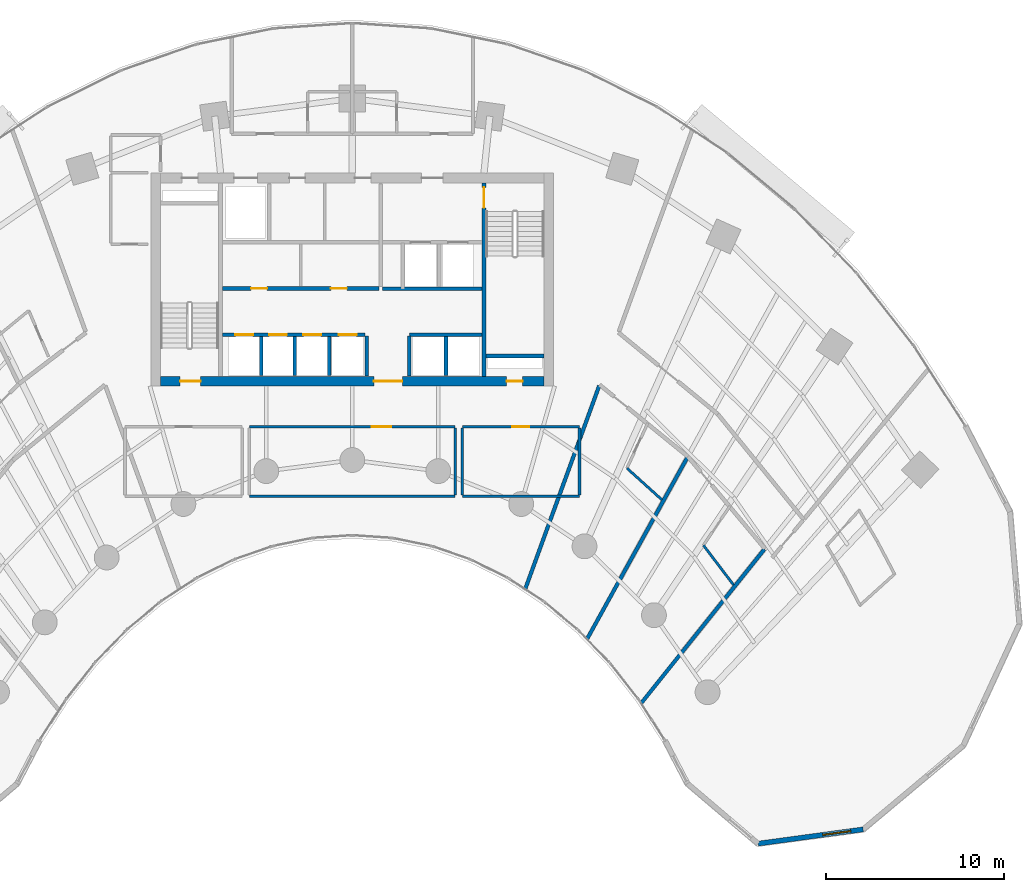
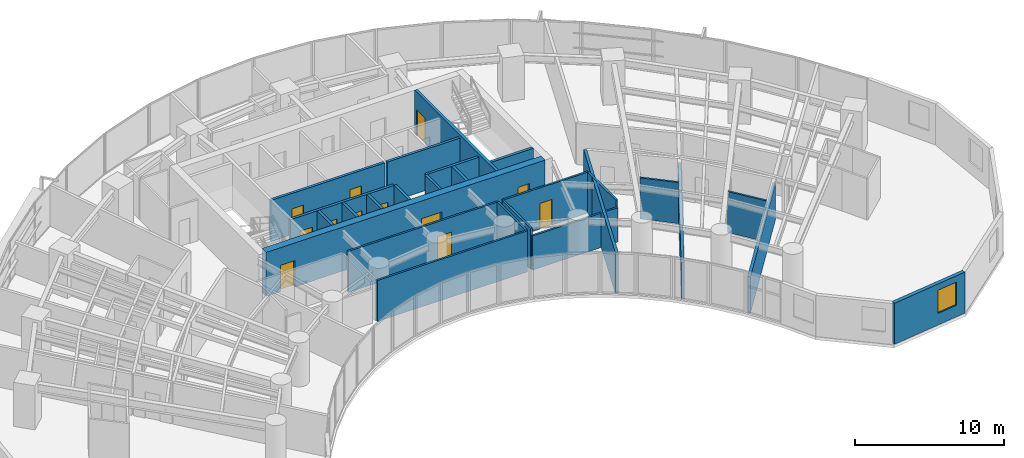
# One storey, part 12 of 17: 26 walls, 12 doors, 1 window, 13 openings.
"""IFC4 building model written with IfcOpenShell, lengths in metres."""

from ifc_helpers import new_model, si_unit, direction, frame, frame_2d, origin, place, context, subcontext, project, spatial, rectangle, extrude, source, transform, mapped, material, layer, layer_set, type_object, type_shapes, element, fill, save


model = new_model("IFC4")

# Units and contexts
model_context = context("Model", 3, precision=1e-05, world=origin(), true_north=direction((0.0, 1.0)))
body_context = subcontext(model_context, "Body", "Model", "MODEL_VIEW")
ifc_project = project(units=[si_unit("LENGTHUNIT", "METRE"), si_unit("AREAUNIT", "SQUARE_METRE"), si_unit("VOLUMEUNIT", "CUBIC_METRE"), si_unit("PLANEANGLEUNIT", "RADIAN"), si_unit("MASSUNIT", "GRAM", prefix="KILO")], contexts=[model_context])

# Site, building, storey
site_placement = place(None, origin())
site = spatial("IfcSite", under=ifc_project, at=site_placement, CompositionType="ELEMENT")
building_placement = place(site_placement, origin())
building = spatial("IfcBuilding", under=site, at=building_placement, Name="Breltana Convention Tower", CompositionType="ELEMENT")
storey_placement = place(building_placement, frame((0.0, 0.0, 71.39990234375)))
storey = spatial("IfcBuildingStorey", under=building, at=storey_placement, Name="L16", CompositionType="ELEMENT", Elevation=71.39990234375)

# Wall, openings, doors
ifc_material_1 = material(Name="Concrete C60/75", Category="concrete")
ifc_layer_1 = layer(ifc_material_1, 0.550048828125, Name="Concrete C60/75")
ifc_layer_set_1 = layer_set([ifc_layer_1], Name="Concrete C60/75")
wall_type_1 = type_object("IfcWallType", Name="SW-CORE-550", PredefinedType="SHEAR", material=ifc_layer_set_1)
shared_shape_1 = source(origin(), body_context, "Body", "SweptSolid", [
    extrude(rectangle(XDim=21.60009765625, YDim=0.550048828125, at=frame_2d((10.800048828125, 0.0))), origin(), (0.0, 0.0, 1.0), 3.60009765625),
])
wall_1_placement = place(storey_placement, frame((37.199951171875, 60.47509765625, 0.0), z_axis=(0.0, 0.0, 1.0), x_axis=(1.0, 0.0, 0.0)))
wall_1 = element("IfcWall", 1, at=wall_1_placement, inside=storey, type_object=wall_type_1, Name="L16 South Core Shear Wall", PredefinedType="SHEAR", context=body_context, shape_type="MappedRepresentation", body=[
    mapped(shared_shape_1, transform((0.0, 0.0, 0.0), scale=1.0)),
])
opening_1_placement = place(wall_1_placement, frame((1.10009765625, 0.0, 0.0)))
opening_1 = element("IfcOpeningElement", 2, at=opening_1_placement, cuts=wall_1, Name="Opening D-11", PredefinedType="OPENING", context=body_context, shape_type="SweptSolid", body=[
    extrude(rectangle(XDim=1.14990234375, YDim=2.14990234375, at=frame_2d((0.574951171875, 1.074951171875))), frame((0.0, 0.28515625, 0.0), z_axis=(0.0, -1.0, 0.0), x_axis=(1.0, 0.0, 0.0)), (0.0, 0.0, 1.0), 0.570068359375),
])
opening_2_placement = place(wall_1_placement, frame((19.5, 0.0, 0.0)))
opening_2 = element("IfcOpeningElement", 3, at=opening_2_placement, cuts=wall_1, Name="Opening D-18", PredefinedType="OPENING", context=body_context, shape_type="SweptSolid", body=[
    extrude(rectangle(XDim=0.89990234375, YDim=2.10009765625, at=frame_2d((0.449951171875, 1.050048828125))), frame((0.0, 0.28515625, 0.0), z_axis=(0.0, -1.0, 0.0), x_axis=(1.0, 0.0, 0.0)), (0.0, 0.0, 1.0), 0.570068359375),
])
opening_3_placement = place(wall_1_placement, frame((12.02001953125, 0.0, 0.0)))
opening_3 = element("IfcOpeningElement", 4, at=opening_3_placement, cuts=wall_1, Name="Opening D-02", PredefinedType="OPENING", context=body_context, shape_type="SweptSolid", body=[
    extrude(rectangle(XDim=1.60009765625, YDim=2.14990234375, at=frame_2d((0.800048828125, 1.074951171875))), frame((0.0, 0.28515625, 0.0), z_axis=(0.0, -1.0, 0.0), x_axis=(1.0, 0.0, 0.0)), (0.0, 0.0, 1.0), 0.570068359375),
])
ifc_material_2 = material(Name="Steel Stair Exit Door", Category="steel")
door_type_1 = type_object("IfcDoorType", Name="DR-FD120-1150", OperationType="NOTDEFINED", PredefinedType="DOOR", material=ifc_material_2)
shared_shape_2 = source(origin(), body_context, "Body", "SweptSolid", [
    extrude(rectangle(XDim=1.14990234375, YDim=2.14990234375, at=frame_2d((0.574951171875, 1.074951171875))), frame((0.0, 0.02490234375, 0.0), z_axis=(0.0, -1.0, 0.0), x_axis=(1.0, 0.0, 0.0)), (0.0, 0.0, 1.0), 0.050048828125),
])
type_shapes(door_type_1, [shared_shape_2])
door_1_placement = place(opening_1_placement, origin())
door_1 = element("IfcDoor", 5, at=door_1_placement, inside=storey, type_object=door_type_1, Name="L16 interior door D-L16-ST1", OperationType="SINGLE_SWING_LEFT", OverallHeight=2.14990234375, OverallWidth=1.14990234375, PredefinedType="DOOR", context=body_context, shape_type="MappedRepresentation", body=[
    mapped(shared_shape_2, transform((0.0, 0.0, 0.0), scale=1.0)),
])
fill(opening_1, door_1)
ifc_material_3 = material(Name="Steel Riser Fire Door", Category="steel")
door_type_2 = type_object("IfcDoorType", Name="DR-FD60-900", OperationType="NOTDEFINED", PredefinedType="DOOR", material=ifc_material_3)
shared_shape_3 = source(origin(), body_context, "Body", "SweptSolid", [
    extrude(rectangle(XDim=0.89990234375, YDim=2.10009765625, at=frame_2d((0.449951171875, 1.050048828125))), frame((0.0, 0.02490234375, 0.0), z_axis=(0.0, -1.0, 0.0), x_axis=(1.0, 0.0, 0.0)), (0.0, 0.0, 1.0), 0.050048828125),
])
type_shapes(door_type_2, [shared_shape_3])
door_2_placement = place(opening_2_placement, origin())
door_2 = element("IfcDoor", 6, at=door_2_placement, inside=storey, type_object=door_type_2, Name="L16 Core Riser Access Door D-L16-RS2", OperationType="SINGLE_SWING_RIGHT", OverallHeight=2.10009765625, OverallWidth=0.89990234375, PredefinedType="DOOR", context=body_context, shape_type="MappedRepresentation", body=[
    mapped(shared_shape_3, transform((0.0, 0.0, 0.0), scale=1.0)),
])
fill(opening_2, door_2)
ifc_material_4 = material(Name="Steel Glazed Smoke-Control Door", Category="steel")
door_type_3 = type_object("IfcDoorType", Name="DR-DBL-FD90-1600", OperationType="DOUBLE_DOOR_SINGLE_SWING", PredefinedType="DOOR", material=ifc_material_4)
shared_shape_4 = source(origin(), body_context, "Body", "SweptSolid", [
    extrude(rectangle(XDim=1.60009765625, YDim=2.14990234375, at=frame_2d((0.800048828125, 1.074951171875))), frame((0.0, 0.02490234375, 0.0), z_axis=(0.0, -1.0, 0.0), x_axis=(1.0, 0.0, 0.0)), (0.0, 0.0, 1.0), 0.050048828125),
])
type_shapes(door_type_3, [shared_shape_4])
door_3_placement = place(opening_3_placement, origin())
door_3 = element("IfcDoor", 7, at=door_3_placement, inside=storey, type_object=door_type_3, Name="L16 interior door D-L16-LLB-S", OperationType="DOUBLE_DOOR_SINGLE_SWING", OverallHeight=2.14990234375, OverallWidth=1.60009765625, PredefinedType="DOOR", context=body_context, shape_type="MappedRepresentation", body=[
    mapped(shared_shape_4, transform((0.0, 0.0, 0.0), scale=1.0)),
])
fill(opening_3, door_3)

# Wall
ifc_material_5 = material(Name="Concrete C50/60", Category="concrete")
ifc_layer_2 = layer(ifc_material_5, 0.39990234375, Name="Concrete C50/60")
ifc_layer_set_2 = layer_set([ifc_layer_2], Name="Concrete C50/60")
wall_type_2 = type_object("IfcWallType", Name="SW-CORE-400", PredefinedType="SHEAR", material=ifc_layer_set_2)
shared_shape_5 = source(origin(), body_context, "Body", "SweptSolid", [
    extrude(rectangle(XDim=3.27001953125, YDim=0.219970703125, at=frame_2d((1.635009765625, 0.0))), origin(), (0.0, 0.0, 1.0), 3.60009765625),
])
wall_2_placement = place(storey_placement, frame((55.530029296875, 61.889892578125, 0.0), z_axis=(0.0, 0.0, 1.0), x_axis=(1.0, 0.0, 0.0)))
element("IfcWall", 8, at=wall_2_placement, inside=storey, type_object=wall_type_2, Name="L16 ST-2 Stairwell South Bearing Wall", PredefinedType="SHEAR", context=body_context, shape_type="MappedRepresentation", body=[
    mapped(shared_shape_5, transform((0.0, 0.0, 0.0), scale=1.0)),
])

# Wall, opening, door
shared_shape_6 = source(origin(), body_context, "Body", "SweptSolid", [
    extrude(rectangle(XDim=10.89990234375, YDim=0.219970703125, at=frame_2d((5.449951171875, 0.0))), origin(), (0.0, 0.0, 1.0), 3.60009765625),
])
wall_3_placement = place(storey_placement, frame((55.419921875, 60.75, 0.0), z_axis=(0.0, 0.0, 1.0), x_axis=(0.0, 1.0, 0.0)))
wall_3 = element("IfcWall", 9, at=wall_3_placement, inside=storey, type_object=wall_type_2, Name="L16 Core East Stair Spine Wall", PredefinedType="SHEAR", context=body_context, shape_type="MappedRepresentation", body=[
    mapped(shared_shape_6, transform((0.0, 0.0, 0.0), scale=1.0)),
])
opening_4_placement = place(wall_3_placement, frame((9.4951171875, 0.0, 0.0)))
opening_4 = element("IfcOpeningElement", 10, at=opening_4_placement, cuts=wall_3, Name="Opening D-11", PredefinedType="OPENING", context=body_context, shape_type="SweptSolid", body=[
    extrude(rectangle(XDim=1.14990234375, YDim=2.14990234375, at=frame_2d((0.574951171875, 1.074951171875))), frame((0.0, 0.1201171875, 0.0), z_axis=(0.0, -1.0, 0.0), x_axis=(1.0, 0.0, 0.0)), (0.0, 0.0, 1.0), 0.239990234375),
])
door_4_placement = place(opening_4_placement, origin())
door_4 = element("IfcDoor", 11, at=door_4_placement, inside=storey, type_object=door_type_1, Name="L16 interior door D-L16-ST2", OperationType="SINGLE_SWING_LEFT", OverallHeight=2.14990234375, OverallWidth=1.14990234375, PredefinedType="DOOR", context=body_context, shape_type="MappedRepresentation", body=[
    mapped(shared_shape_2, transform((0.0, 0.0, 0.0), scale=1.0)),
])
fill(opening_4, door_4)

# Wall, opening, window
ifc_material_6 = material(Name="Limestone Buff Insulated Wall", Category="masonry")
ifc_layer_3 = layer(ifc_material_6, 0.280029296875, Name="Limestone Buff Insulated Wall")
ifc_layer_set_3 = layer_set([ifc_layer_3], Name="Limestone Buff Insulated Wall")
wall_type_3 = type_object("IfcWallType", Name="WL-EXT-NOSE-280", PredefinedType="SOLIDWALL", material=ifc_layer_set_3)
shared_shape_7 = source(origin(), body_context, "Body", "SweptSolid", [
    extrude(rectangle(XDim=5.96728515625, YDim=0.280029296875, at=frame_2d((2.983642578125, 0.0))), origin(), (0.0, 0.0, 1.0), 3.360107421875),
])
wall_4_placement = place(storey_placement, frame((76.77734375, 35.226806640625, 0.0), z_axis=(0.0, 0.0, 1.0), x_axis=(-0.990927009341, -0.134401124099, 0.0)))
wall_4 = element("IfcWall", 12, at=wall_4_placement, inside=storey, type_object=wall_type_3, Name="L16 curved limestone nose wall E4", PredefinedType="SOLIDWALL", context=body_context, shape_type="MappedRepresentation", body=[
    mapped(shared_shape_7, transform((0.0, 0.0, 0.0), scale=1.0)),
])
opening_5_placement = place(wall_4_placement, frame((0.69189453125, 0.0, 0.949951171875)))
opening_5 = element("IfcOpeningElement", 13, at=opening_5_placement, cuts=wall_4, Name="Opening W-04", PredefinedType="OPENING", context=body_context, shape_type="SweptSolid", body=[
    extrude(rectangle(XDim=1.60009765625, YDim=1.89990234375, at=frame_2d((0.800048828125, 0.949951171875))), frame((0.0, 0.14990234375, 0.0), z_axis=(0.0, -1.0, 0.0), x_axis=(1.0, 0.0, 0.0)), (0.0, 0.0, 1.0), 0.300048828125),
])
ifc_material_7 = material(Name="Glass Low-E Insulated Window", Category="glass")
window_type = type_object("IfcWindowType", Name="WN-NOSE-1600X1900", PartitioningType="SINGLE_PANEL", PredefinedType="WINDOW", material=ifc_material_7)
shared_shape_8 = source(origin(), body_context, "Body", "SweptSolid", [
    extrude(rectangle(XDim=1.60009765625, YDim=1.89990234375, at=frame_2d((0.800048828125, 0.949951171875))), frame((0.0, 0.030029296875, 0.0), z_axis=(0.0, -1.0, 0.0), x_axis=(1.0, 0.0, 0.0)), (0.0, 0.0, 1.0), 0.06005859375),
])
type_shapes(window_type, [shared_shape_8])
window_placement = place(opening_5_placement, origin())
window = element("IfcWindow", 14, at=window_placement, inside=storey, type_object=window_type, Name="L16 nose window E4", OverallHeight=1.89990234375, OverallWidth=1.60009765625, PartitioningType="SINGLE_PANEL", PredefinedType="WINDOW", context=body_context, shape_type="MappedRepresentation", body=[
    mapped(shared_shape_8, transform((0.0, 0.0, 0.0), scale=1.0)),
])
fill(opening_5, window)

# Walls
ifc_material_8 = material(Name="Autoclaved Aerated Concrete Block", Category="concrete")
ifc_layer_4 = layer(ifc_material_8, 0.199951171875, Name="Autoclaved Aerated Concrete Block")
ifc_layer_set_4 = layer_set([ifc_layer_4], Name="Autoclaved Aerated Concrete Block")
wall_type_4 = type_object("IfcWallType", Name="WL-SHAFT-200", PredefinedType="SOLIDWALL", material=ifc_layer_set_4)
shared_shape_9 = source(origin(), body_context, "Body", "SweptSolid", [
    extrude(rectangle(XDim=2.239990234375, YDim=0.199951171875, at=frame_2d((1.1201171875, 0.0))), origin(), (0.0, 0.0, 1.0), 3.360107421875),
])
for number, where, z_axis, x_axis, name in (
    (15, (48.820068359375, 60.780029296875, 0.0), (0.0, 0.0, 1.0), (0.0, 1.0, 0.0), "L16 interior partition W-L16-PORT-W"),
    (16, (51.219970703125, 60.780029296875, 0.0), (0.0, 0.0, 1.0), (0.0, 1.0, 0.0), "L16 interior partition W-L16-PORT-E"),
):
    element("IfcWall", number, at=place(storey_placement, frame(where, z_axis=z_axis, x_axis=x_axis)), inside=storey, type_object=wall_type_4, Name=name, PredefinedType="SOLIDWALL", context=body_context, shape_type="MappedRepresentation", body=[
        mapped(shared_shape_9, transform((0.0, 0.0, 0.0), scale=1.0)),
    ])
shared_shape_10 = source(origin(), body_context, "Body", "SweptSolid", [
    extrude(rectangle(XDim=5.6201171875, YDim=0.199951171875, at=frame_2d((2.81005859375, 0.0))), origin(), (0.0, 0.0, 1.0), 3.360107421875),
])
wall_5_placement = place(storey_placement, frame((49.699951171875, 65.679931640625, 0.0), z_axis=(0.0, 0.0, 1.0), x_axis=(1.0, 0.0, 0.0)))
element("IfcWall", 17, at=wall_5_placement, inside=storey, type_object=wall_type_4, Name="L16 interior partition W-L16-FL-S", PredefinedType="SOLIDWALL", context=body_context, shape_type="MappedRepresentation", body=[
    mapped(shared_shape_10, transform((0.0, 0.0, 0.0), scale=1.0)),
])

# Wall, openings, doors
shared_shape_11 = source(origin(), body_context, "Body", "SweptSolid", [
    extrude(rectangle(XDim=8.800048828125, YDim=0.199951171875, at=frame_2d((4.39990234375, 0.0))), origin(), (0.0, 0.0, 1.0), 3.360107421875),
])
wall_6_placement = place(storey_placement, frame((40.699951171875, 65.699951171875, 0.0), z_axis=(0.0, 0.0, 1.0), x_axis=(1.0, 0.0, 0.0)))
wall_6 = element("IfcWall", 18, at=wall_6_placement, inside=storey, type_object=wall_type_4, Name="L16 interior partition W-L16-SH-M-FRONT", PredefinedType="SOLIDWALL", context=body_context, shape_type="MappedRepresentation", body=[
    mapped(shared_shape_11, transform((0.0, 0.0, 0.0), scale=1.0)),
])
opening_6_placement = place(wall_6_placement, frame((1.60009765625, 0.0, 0.0)))
opening_6 = element("IfcOpeningElement", 19, at=opening_6_placement, cuts=wall_6, Name="Opening D-18", PredefinedType="OPENING", context=body_context, shape_type="SweptSolid", body=[
    extrude(rectangle(XDim=0.89990234375, YDim=2.10009765625, at=frame_2d((0.449951171875, 1.050048828125))), frame((0.0, 0.10986328125, 0.0), z_axis=(0.0, -1.0, 0.0), x_axis=(1.0, 0.0, 0.0)), (0.0, 0.0, 1.0), 0.219970703125),
])
opening_7_placement = place(wall_6_placement, frame((6.10009765625, 0.0, 0.0)))
opening_7 = element("IfcOpeningElement", 20, at=opening_7_placement, cuts=wall_6, Name="Opening D-18", PredefinedType="OPENING", context=body_context, shape_type="SweptSolid", body=[
    extrude(rectangle(XDim=0.89990234375, YDim=2.10009765625, at=frame_2d((0.449951171875, 1.050048828125))), frame((0.0, 0.10986328125, 0.0), z_axis=(0.0, -1.0, 0.0), x_axis=(1.0, 0.0, 0.0)), (0.0, 0.0, 1.0), 0.219970703125),
])
door_5_placement = place(opening_6_placement, origin())
door_5 = element("IfcDoor", 21, at=door_5_placement, inside=storey, type_object=door_type_2, Name="L16 interior door D-L16-LV7-B2A", OperationType="SINGLE_SWING_RIGHT", OverallHeight=2.10009765625, OverallWidth=0.89990234375, PredefinedType="DOOR", context=body_context, shape_type="MappedRepresentation", body=[
    mapped(shared_shape_3, transform((0.0, 0.0, 0.0), scale=1.0)),
])
fill(opening_6, door_5)
door_6_placement = place(opening_7_placement, origin())
door_6 = element("IfcDoor", 22, at=door_6_placement, inside=storey, type_object=door_type_2, Name="L16 interior door D-L16-LV7-B2B", OperationType="SINGLE_SWING_LEFT", OverallHeight=2.10009765625, OverallWidth=0.89990234375, PredefinedType="DOOR", context=body_context, shape_type="MappedRepresentation", body=[
    mapped(shared_shape_3, transform((0.0, 0.0, 0.0), scale=1.0)),
])
fill(opening_7, door_6)

shared_shape_12 = source(origin(), body_context, "Body", "SweptSolid", [
    extrude(rectangle(XDim=8.02001953125, YDim=0.199951171875, at=frame_2d((4.010009765625, 0.0))), origin(), (0.0, 0.0, 1.0), 3.360107421875),
])
wall_7_placement = place(storey_placement, frame((40.699951171875, 63.10009765625, 0.0), z_axis=(0.0, 0.0, 1.0), x_axis=(1.0, 0.0, 0.0)))
wall_7 = element("IfcWall", 23, at=wall_7_placement, inside=storey, type_object=wall_type_4, Name="L16 interior partition W-L16-SH-S-FRONT", PredefinedType="SOLIDWALL", context=body_context, shape_type="MappedRepresentation", body=[
    mapped(shared_shape_12, transform((0.0, 0.0, 0.0), scale=1.0)),
])
opening_8_placement = place(wall_7_placement, frame((0.719970703125, 0.0, 0.0)))
opening_8 = element("IfcOpeningElement", 24, at=opening_8_placement, cuts=wall_7, Name="Opening LD-04", PredefinedType="OPENING", context=body_context, shape_type="SweptSolid", body=[
    extrude(rectangle(XDim=1.0, YDim=2.14990234375, at=frame_2d((0.5, 1.074951171875))), frame((0.0, 0.10986328125, 0.0), z_axis=(0.0, -1.0, 0.0), x_axis=(1.0, 0.0, 0.0)), (0.0, 0.0, 1.0), 0.219970703125),
])
opening_9_placement = place(wall_7_placement, frame((2.6201171875, 0.0, 0.0)))
opening_9 = element("IfcOpeningElement", 25, at=opening_9_placement, cuts=wall_7, Name="Opening LD-04", PredefinedType="OPENING", context=body_context, shape_type="SweptSolid", body=[
    extrude(rectangle(XDim=1.0, YDim=2.14990234375, at=frame_2d((0.5, 1.074951171875))), frame((0.0, 0.10986328125, 0.0), z_axis=(0.0, -1.0, 0.0), x_axis=(1.0, 0.0, 0.0)), (0.0, 0.0, 1.0), 0.219970703125),
])
opening_10_placement = place(wall_7_placement, frame((4.550048828125, 0.0, 0.0)))
opening_10 = element("IfcOpeningElement", 26, at=opening_10_placement, cuts=wall_7, Name="Opening LD-04", PredefinedType="OPENING", context=body_context, shape_type="SweptSolid", body=[
    extrude(rectangle(XDim=1.0, YDim=2.14990234375, at=frame_2d((0.5, 1.074951171875))), frame((0.0, 0.10986328125, 0.0), z_axis=(0.0, -1.0, 0.0), x_axis=(1.0, 0.0, 0.0)), (0.0, 0.0, 1.0), 0.219970703125),
])
opening_11_placement = place(wall_7_placement, frame((6.550048828125, 0.0, 0.0)))
opening_11 = element("IfcOpeningElement", 27, at=opening_11_placement, cuts=wall_7, Name="Opening LD-04", PredefinedType="OPENING", context=body_context, shape_type="SweptSolid", body=[
    extrude(rectangle(XDim=1.0, YDim=2.14990234375, at=frame_2d((0.5, 1.074951171875))), frame((0.0, 0.10986328125, 0.0), z_axis=(0.0, -1.0, 0.0), x_axis=(1.0, 0.0, 0.0)), (0.0, 0.0, 1.0), 0.219970703125),
])
ifc_material_9 = material(Name="Stainless Steel Brushed", Category="steel")
door_type_4 = type_object("IfcDoorType", Name="DR-LD-PAX-1000", OperationType="DOUBLE_DOOR_SLIDING", PredefinedType="DOOR", material=ifc_material_9)
shared_shape_13 = source(origin(), body_context, "Body", "SweptSolid", [
    extrude(rectangle(XDim=1.0, YDim=2.14990234375, at=frame_2d((0.5, 1.074951171875))), frame((0.0, 0.02490234375, 0.0), z_axis=(0.0, -1.0, 0.0), x_axis=(1.0, 0.0, 0.0)), (0.0, 0.0, 1.0), 0.050048828125),
])
type_shapes(door_type_4, [shared_shape_13])
door_7_placement = place(opening_8_placement, origin())
door_7 = element("IfcDoor", 28, at=door_7_placement, inside=storey, type_object=door_type_4, Name="L16 Lift Landing Door D-L16-LD-S1", OperationType="DOUBLE_DOOR_SLIDING", OverallHeight=2.14990234375, OverallWidth=1.0, PredefinedType="DOOR", context=body_context, shape_type="MappedRepresentation", body=[
    mapped(shared_shape_13, transform((0.0, 0.0, 0.0), scale=1.0)),
])
fill(opening_8, door_7)
door_8_placement = place(opening_9_placement, origin())
door_8 = element("IfcDoor", 29, at=door_8_placement, inside=storey, type_object=door_type_4, Name="L16 Lift Landing Door D-L16-LD-S2", OperationType="DOUBLE_DOOR_SLIDING", OverallHeight=2.14990234375, OverallWidth=1.0, PredefinedType="DOOR", context=body_context, shape_type="MappedRepresentation", body=[
    mapped(shared_shape_13, transform((0.0, 0.0, 0.0), scale=1.0)),
])
fill(opening_9, door_8)
door_9_placement = place(opening_10_placement, origin())
door_9 = element("IfcDoor", 30, at=door_9_placement, inside=storey, type_object=door_type_4, Name="L16 Lift Landing Door D-L16-LD-S3", OperationType="DOUBLE_DOOR_SLIDING", OverallHeight=2.14990234375, OverallWidth=1.0, PredefinedType="DOOR", context=body_context, shape_type="MappedRepresentation", body=[
    mapped(shared_shape_13, transform((0.0, 0.0, 0.0), scale=1.0)),
])
fill(opening_10, door_9)
door_10_placement = place(opening_11_placement, origin())
door_10 = element("IfcDoor", 31, at=door_10_placement, inside=storey, type_object=door_type_4, Name="L16 Lift Landing Door D-L16-LD-S4", OperationType="DOUBLE_DOOR_SLIDING", OverallHeight=2.14990234375, OverallWidth=1.0, PredefinedType="DOOR", context=body_context, shape_type="MappedRepresentation", body=[
    mapped(shared_shape_13, transform((0.0, 0.0, 0.0), scale=1.0)),
])
fill(opening_11, door_10)

# Walls
shared_shape_14 = source(origin(), body_context, "Body", "SweptSolid", [
    extrude(rectangle(XDim=4.10009765625, YDim=0.199951171875, at=frame_2d((2.050048828125, 0.0))), origin(), (0.0, 0.0, 1.0), 3.360107421875),
])
wall_8_placement = place(storey_placement, frame((51.219970703125, 63.10009765625, 0.0), z_axis=(0.0, 0.0, 1.0), x_axis=(1.0, 0.0, 0.0)))
element("IfcWall", 32, at=wall_8_placement, inside=storey, type_object=wall_type_4, Name="L16 interior partition W-L16-SH-X-FRONT", PredefinedType="SOLIDWALL", context=body_context, shape_type="MappedRepresentation", body=[
    mapped(shared_shape_14, transform((0.0, 0.0, 0.0), scale=1.0)),
])
shared_shape_15 = source(origin(), body_context, "Body", "SweptSolid", [
    extrude(rectangle(XDim=2.199951171875, YDim=0.199951171875, at=frame_2d((1.10009765625, 0.0))), origin(), (0.0, 0.0, 1.0), 3.360107421875),
])
for number, where, z_axis, x_axis, name in (
    (33, (42.8701171875, 60.800048828125, 0.0), (0.0, 0.0, 1.0), (0.0, 1.0, 0.0), "L16 interior partition W-L16-SH-S-DIV1"),
    (34, (44.77001953125, 60.800048828125, 0.0), (0.0, 0.0, 1.0), (0.0, 1.0, 0.0), "L16 interior partition W-L16-SH-S-DIV2"),
    (35, (46.699951171875, 60.800048828125, 0.0), (0.0, 0.0, 1.0), (0.0, 1.0, 0.0), "L16 interior partition W-L16-SH-S-DIV3"),
    (36, (53.280029296875, 60.800048828125, 0.0), (0.0, 0.0, 1.0), (0.0, 1.0, 0.0), "L16 interior partition W-L16-SH-X-DIV"),
):
    element("IfcWall", number, at=place(storey_placement, frame(where, z_axis=z_axis, x_axis=x_axis)), inside=storey, type_object=wall_type_4, Name=name, PredefinedType="SOLIDWALL", context=body_context, shape_type="MappedRepresentation", body=[
        mapped(shared_shape_15, transform((0.0, 0.0, 0.0), scale=1.0)),
    ])
ifc_material_10 = material(Name="Gypsum Acoustic Drywall Partition")
ifc_layer_5 = layer(ifc_material_10, 0.14990234375, Name="Gypsum Acoustic Drywall Partition")
ifc_layer_set_5 = layer_set([ifc_layer_5], Name="Gypsum Acoustic Drywall Partition")
wall_type_5 = type_object("IfcWallType", Name="WL-PART-150", PredefinedType="PARTITIONING", material=ifc_layer_set_5)
shared_shape_16 = source(origin(), body_context, "Body", "SweptSolid", [
    extrude(rectangle(XDim=6.60009765625, YDim=0.14990234375, at=frame_2d((3.300048828125, 0.0))), origin(), (0.0, 0.0, 1.0), 2.802978515625),
])
wall_9_placement = place(storey_placement, frame((54.199951171875, 54.0, 0.0), z_axis=(0.0, 0.0, 1.0), x_axis=(1.0, 0.0, 0.0)))
element("IfcWall", 37, at=wall_9_placement, inside=storey, type_object=wall_type_5, Name="L16 interior partition W-L16-HMT-S", PredefinedType="PARTITIONING", context=body_context, shape_type="MappedRepresentation", body=[
    mapped(shared_shape_16, transform((0.0, 0.0, 0.0), scale=1.0)),
])

# Wall, opening, door
shared_shape_17 = source(origin(), body_context, "Body", "SweptSolid", [
    extrude(rectangle(XDim=6.60009765625, YDim=0.14990234375, at=frame_2d((3.300048828125, 0.0))), origin(), (0.0, 0.0, 1.0), 3.360107421875),
])
wall_10_placement = place(storey_placement, frame((54.199951171875, 57.919921875, 0.0), z_axis=(0.0, 0.0, 1.0), x_axis=(1.0, 0.0, 0.0)))
wall_10 = element("IfcWall", 38, at=wall_10_placement, inside=storey, type_object=wall_type_5, Name="L16 interior partition W-L16-HMT-N", PredefinedType="PARTITIONING", context=body_context, shape_type="MappedRepresentation", body=[
    mapped(shared_shape_17, transform((0.0, 0.0, 0.0), scale=1.0)),
])
opening_12_placement = place(wall_10_placement, frame((2.824951171875, 0.0, 0.0)))
opening_12 = element("IfcOpeningElement", 39, at=opening_12_placement, cuts=wall_10, Name="Opening D-17", PredefinedType="OPENING", context=body_context, shape_type="SweptSolid", body=[
    extrude(rectangle(XDim=0.949951171875, YDim=2.10009765625, at=frame_2d((0.47509765625, 1.050048828125))), frame((0.0, 0.0849609375, 0.0), z_axis=(0.0, -1.0, 0.0), x_axis=(1.0, 0.0, 0.0)), (0.0, 0.0, 1.0), 0.169921875),
])
ifc_material_11 = material(Name="Timber Oak Veneer Door", Category="wood")
door_type_5 = type_object("IfcDoorType", Name="DR-INT-950", OperationType="NOTDEFINED", PredefinedType="DOOR", material=ifc_material_11)
shared_shape_18 = source(origin(), body_context, "Body", "SweptSolid", [
    extrude(rectangle(XDim=0.949951171875, YDim=2.10009765625, at=frame_2d((0.47509765625, 1.050048828125))), frame((0.0, 0.02490234375, 0.0), z_axis=(0.0, -1.0, 0.0), x_axis=(1.0, 0.0, 0.0)), (0.0, 0.0, 1.0), 0.050048828125),
])
type_shapes(door_type_5, [shared_shape_18])
door_11_placement = place(opening_12_placement, origin())
door_11 = element("IfcDoor", 40, at=door_11_placement, inside=storey, type_object=door_type_5, Name="L16 interior door D-L16-HMT", OperationType="SINGLE_SWING_RIGHT", OverallHeight=2.10009765625, OverallWidth=0.949951171875, PredefinedType="DOOR", context=body_context, shape_type="MappedRepresentation", body=[
    mapped(shared_shape_18, transform((0.0, 0.0, 0.0), scale=1.0)),
])
fill(opening_12, door_11)

# Walls
shared_shape_19 = source(origin(), body_context, "Body", "SweptSolid", [
    extrude(rectangle(XDim=3.78515625, YDim=0.14990234375, at=frame_2d((1.892578125, 0.0))), origin(), (0.0, 0.0, 1.0), 3.360107421875),
])
for number, where, z_axis, x_axis, name in (
    (41, (53.800048828125, 54.0673828125, 0.0), (0.0, 0.0, 1.0), (0.0, 1.0, 0.0), "L16 interior partition W-L16-HLG-E"),
    (42, (54.199951171875, 54.0673828125, 0.0), (0.0, 0.0, 1.0), (0.0, 1.0, 0.0), "L16 interior partition W-L16-HMT-W"),
    (43, (60.800048828125, 54.0673828125, 0.0), (0.0, 0.0, 1.0), (0.0, 1.0, 0.0), "L16 interior partition W-L16-HMT-E"),
):
    element("IfcWall", number, at=place(storey_placement, frame(where, z_axis=z_axis, x_axis=x_axis)), inside=storey, type_object=wall_type_5, Name=name, PredefinedType="PARTITIONING", context=body_context, shape_type="MappedRepresentation", body=[
        mapped(shared_shape_19, transform((0.0, 0.0, 0.0), scale=1.0)),
    ])
shared_shape_20 = source(origin(), body_context, "Body", "SweptSolid", [
    extrude(rectangle(XDim=11.60009765625, YDim=0.14990234375, at=frame_2d((5.800048828125, 0.0))), origin(), (0.0, 0.0, 1.0), 3.360107421875),
])
wall_11_placement = place(storey_placement, frame((42.199951171875, 54.0, 0.0), z_axis=(0.0, 0.0, 1.0), x_axis=(1.0, 0.0, 0.0)))
element("IfcWall", 44, at=wall_11_placement, inside=storey, type_object=wall_type_5, Name="L16 interior partition W-L16-HLG-S", PredefinedType="PARTITIONING", context=body_context, shape_type="MappedRepresentation", body=[
    mapped(shared_shape_20, transform((0.0, 0.0, 0.0), scale=1.0)),
])

# Wall, opening, door
wall_12_placement = place(storey_placement, frame((42.199951171875, 57.919921875, 0.0), z_axis=(0.0, 0.0, 1.0), x_axis=(1.0, 0.0, 0.0)))
wall_12 = element("IfcWall", 45, at=wall_12_placement, inside=storey, type_object=wall_type_5, Name="L16 interior partition W-L16-HLG-N", PredefinedType="PARTITIONING", context=body_context, shape_type="MappedRepresentation", body=[
    mapped(shared_shape_20, transform((0.0, 0.0, 0.0), scale=1.0)),
])
opening_13_placement = place(wall_12_placement, frame((6.89990234375, 0.0, 0.0)))
opening_13 = element("IfcOpeningElement", 46, at=opening_13_placement, cuts=wall_12, Name="Opening D-12", PredefinedType="OPENING", context=body_context, shape_type="SweptSolid", body=[
    extrude(rectangle(XDim=1.10009765625, YDim=2.14990234375, at=frame_2d((0.550048828125, 1.074951171875))), frame((0.0, 0.0849609375, 0.0), z_axis=(0.0, -1.0, 0.0), x_axis=(1.0, 0.0, 0.0)), (0.0, 0.0, 1.0), 0.169921875),
])
ifc_material_12 = material(Name="Timber Oak Acoustic Door", Category="wood")
door_type_6 = type_object("IfcDoorType", Name="DR-INT-1100", OperationType="NOTDEFINED", PredefinedType="DOOR", material=ifc_material_12)
shared_shape_21 = source(origin(), body_context, "Body", "SweptSolid", [
    extrude(rectangle(XDim=1.10009765625, YDim=2.14990234375, at=frame_2d((0.550048828125, 1.074951171875))), frame((0.0, 0.02490234375, 0.0), z_axis=(0.0, -1.0, 0.0), x_axis=(1.0, 0.0, 0.0)), (0.0, 0.0, 1.0), 0.050048828125),
])
type_shapes(door_type_6, [shared_shape_21])
door_12_placement = place(opening_13_placement, origin())
door_12 = element("IfcDoor", 47, at=door_12_placement, inside=storey, type_object=door_type_6, Name="L16 interior door D-L16-HLG", OperationType="SINGLE_SWING_LEFT", OverallHeight=2.14990234375, OverallWidth=1.10009765625, PredefinedType="DOOR", context=body_context, shape_type="MappedRepresentation", body=[
    mapped(shared_shape_21, transform((0.0, 0.0, 0.0), scale=1.0)),
])
fill(opening_13, door_12)

# Walls
ifc_material_13 = material(Name="Autoclaved Aerated Masonry Blockwork", Category="masonry")
ifc_layer_6 = layer(ifc_material_13, 0.2099609375, Name="Autoclaved Aerated Masonry Blockwork")
ifc_layer_set_6 = layer_set([ifc_layer_6], Name="Autoclaved Aerated Masonry Blockwork")
wall_type_6 = type_object("IfcWallType", Name="WL-PART-200", PredefinedType="PARTITIONING", material=ifc_layer_set_6)
shared_shape_22 = source(origin(), body_context, "Body", "SweptSolid", [
    extrude(rectangle(XDim=12.1962890625, YDim=0.2099609375, at=frame_2d((6.09814453125, 0.0))), origin(), (0.0, 0.0, 1.0), 3.360107421875),
])
wall_13_placement = place(storey_placement, frame((57.742431640625, 48.766357421875, 0.0), z_axis=(0.0, 0.0, 1.0), x_axis=(0.342022711534, 0.939691686031, 0.0)))
element("IfcWall", 48, at=wall_13_placement, inside=storey, type_object=wall_type_6, Name="L16 interior partition W-L16-ST04-RA", PredefinedType="PARTITIONING", context=body_context, shape_type="MappedRepresentation", body=[
    mapped(shared_shape_22, transform((0.0, 0.0, 0.0), scale=1.0)),
])
shared_shape_23 = source(origin(), body_context, "Body", "SweptSolid", [
    extrude(rectangle(XDim=11.69189453125, YDim=0.2099609375, at=frame_2d((5.845947265625, 0.0))), origin(), (0.0, 0.0, 1.0), 2.989990234375),
])
wall_14_placement = place(storey_placement, frame((61.227783203125, 45.9541015625, 0.0), z_axis=(0.0, 0.0, 1.0), x_axis=(0.483398579324, 0.875400373262, 0.0)))
element("IfcWall", 49, at=wall_14_placement, inside=storey, type_object=wall_type_6, Name="L16 interior partition W-L16-ST04-RB", PredefinedType="PARTITIONING", context=body_context, shape_type="MappedRepresentation", body=[
    mapped(shared_shape_23, transform((0.0, 0.0, 0.0), scale=1.0)),
])
ifc_material_14 = material(Name="Moisture-Resistant En-Suite Partition")
ifc_layer_7 = layer(ifc_material_14, 0.139892578125, Name="Moisture-Resistant En-Suite Partition")
ifc_layer_set_7 = layer_set([ifc_layer_7], Name="Moisture-Resistant En-Suite Partition")
wall_type_7 = type_object("IfcWallType", Name="WL-WET-150", PredefinedType="PARTITIONING", material=ifc_layer_set_7)
shared_shape_24 = source(origin(), body_context, "Body", "SweptSolid", [
    extrude(rectangle(XDim=2.6533203125, YDim=0.139892578125, at=frame_2d((1.32666015625, 0.0))), origin(), (0.0, 0.0, 1.0), 3.360107421875),
])
wall_15_placement = place(storey_placement, frame((63.47509765625, 55.57568359375, 0.0), z_axis=(0.0, 0.0, 1.0), x_axis=(0.741731938744, -0.67069645224, 0.0)))
element("IfcWall", 50, at=wall_15_placement, inside=storey, type_object=wall_type_7, Name="L16 interior partition W-L16-ST04E-BK", PredefinedType="PARTITIONING", context=body_context, shape_type="MappedRepresentation", body=[
    mapped(shared_shape_24, transform((0.0, 0.0, 0.0), scale=1.0)),
])
shared_shape_25 = source(origin(), body_context, "Body", "SweptSolid", [
    extrude(rectangle(XDim=11.095458984375, YDim=0.2099609375, at=frame_2d((5.5478515625, 0.0))), origin(), (0.0, 0.0, 1.0), 2.989990234375),
])
wall_16_placement = place(storey_placement, frame((64.280517578125, 42.343505859375, 0.0), z_axis=(0.0, 0.0, 1.0), x_axis=(0.6248131083, 0.780774346208, 0.0)))
element("IfcWall", 51, at=wall_16_placement, inside=storey, type_object=wall_type_6, Name="L16 interior partition W-L16-ST05-RB", PredefinedType="PARTITIONING", context=body_context, shape_type="MappedRepresentation", body=[
    mapped(shared_shape_25, transform((0.0, 0.0, 0.0), scale=1.0)),
])
shared_shape_26 = source(origin(), body_context, "Body", "SweptSolid", [
    extrude(rectangle(XDim=2.800048828125, YDim=0.139892578125, at=frame_2d((1.39990234375, 0.0))), origin(), (0.0, 0.0, 1.0), 3.360107421875),
])
wall_17_placement = place(storey_placement, frame((67.7822265625, 51.234375, 0.0), z_axis=(0.0, 0.0, 1.0), x_axis=(0.604607833789, -0.796523299923, 0.0)))
element("IfcWall", 52, at=wall_17_placement, inside=storey, type_object=wall_type_7, Name="L16 interior partition W-L16-ST05E-BK", PredefinedType="PARTITIONING", context=body_context, shape_type="MappedRepresentation", body=[
    mapped(shared_shape_26, transform((0.0, 0.0, 0.0), scale=1.0)),
])

save(model, "model.ifc")
